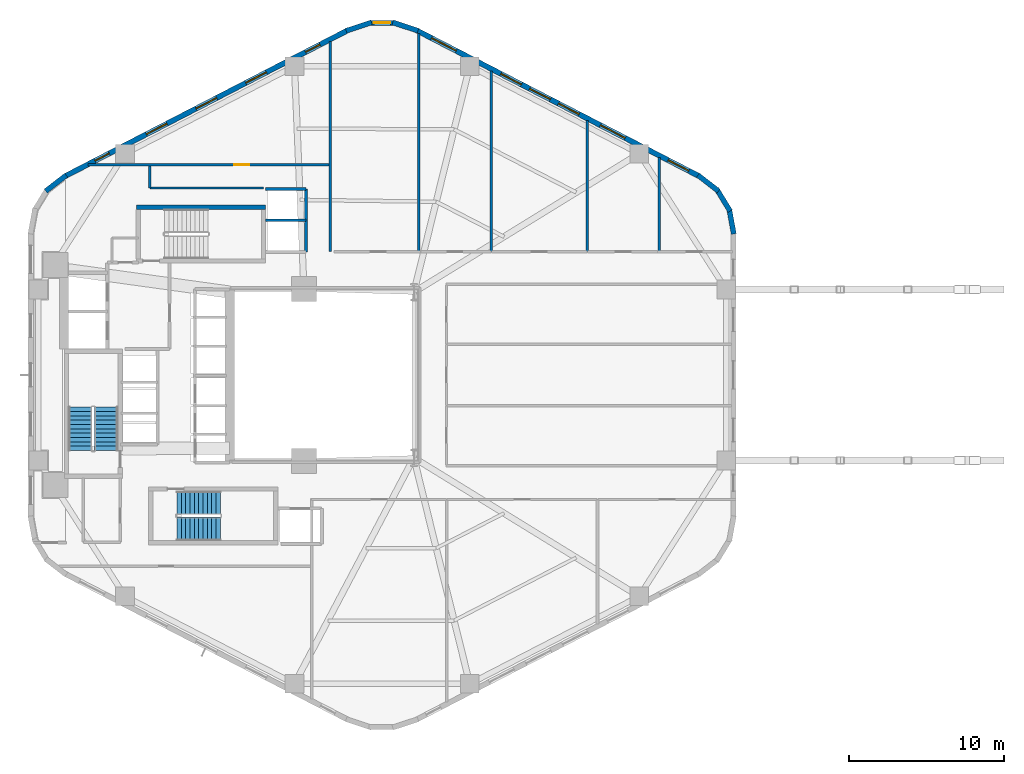
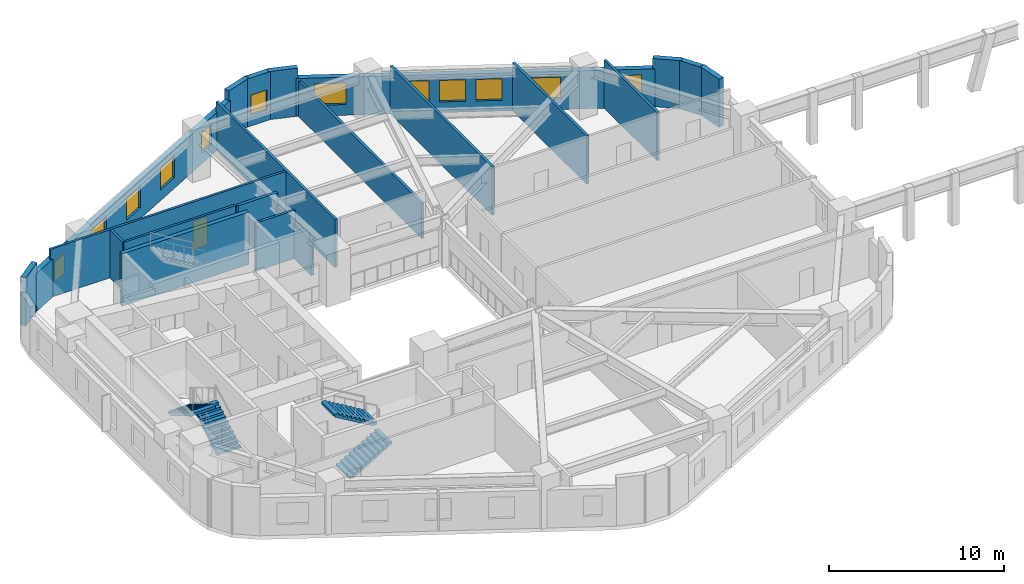
# One storey, part 5 of 7: 21 walls, 12 windows, 4 stair flights, 1 door, 13 openings, 2 elements without a shape of their own.
"""IFC4 building model written with IfcOpenShell, lengths in metres."""

from ifc_helpers import new_model, si_unit, direction, frame, frame_2d, origin, place, context, subcontext, project, spatial, polyline, rectangle, outline, extrude, material, layer, layer_set, type_object, element, fill, aggregate, save


model = new_model("IFC4")

# Units and contexts
model_context = context("Model", 3, precision=1e-05, world=origin(), true_north=direction((0.0, 1.0)))
body_context = subcontext(model_context, "Body", "Model", "MODEL_VIEW")
ifc_project = project(units=[si_unit("LENGTHUNIT", "METRE"), si_unit("AREAUNIT", "SQUARE_METRE"), si_unit("VOLUMEUNIT", "CUBIC_METRE"), si_unit("PLANEANGLEUNIT", "RADIAN"), si_unit("MASSUNIT", "GRAM", prefix="KILO"), si_unit("THERMODYNAMICTEMPERATUREUNIT", "KELVIN"), si_unit("POWERUNIT", "WATT")], contexts=[model_context])

# Site, building, storey
site_placement = place(None, origin())
site = spatial("IfcSite", under=ifc_project, at=site_placement, CompositionType="ELEMENT")
building_placement = place(site_placement, origin())
building = spatial("IfcBuilding", under=site, at=building_placement, Name="Skarre Station Tower", CompositionType="ELEMENT")
storey_placement = place(building_placement, frame((0.0, 0.0, 48.89990234375)))
storey = spatial("IfcBuildingStorey", under=building, at=storey_placement, Name="L12", CompositionType="ELEMENT", Elevation=48.89990234375)

# Wall, opening, door
ifc_material_1 = material(Name="Acoustic Steel-Stud Gypsum Partition", Category="steel")
ifc_layer_1 = layer(ifc_material_1, 0.14990234375, Name="Acoustic Steel-Stud Gypsum Partition")
ifc_layer_set_1 = layer_set([ifc_layer_1], Name="Acoustic Steel-Stud Gypsum Partition")
wall_type_1 = type_object("IfcWallType", Name="Fire-Rated Corridor Acoustic Partition 150", PredefinedType="PARTITIONING", material=ifc_layer_set_1)
wall_1_placement = place(storey_placement, frame((34.0, 37.580078125, 0.0), z_axis=(0.0, 0.0, 1.0), x_axis=(-1.0, 0.0, 0.0)))
wall_1 = element("IfcWall", 1, at=wall_1_placement, inside=storey, type_object=wall_type_1, Name="L12 Interior Partition WL-PT-L12-NWW1-CW", PredefinedType="PARTITIONING", context=body_context, shape_type="SweptSolid", body=[
    extrude(rectangle(XDim=15.60009765625, YDim=0.14990234375, at=frame_2d((7.800048828125, 0.0))), origin(), (0.0, 0.0, 1.0), 3.360107421875),
])
opening_1_placement = place(wall_1_placement, frame((5.195068359375, 0.0, 0.0)))
opening_1 = element("IfcOpeningElement", 2, at=opening_1_placement, cuts=wall_1, Name="Opening DR-FD60", PredefinedType="OPENING", context=body_context, shape_type="SweptSolid", body=[
    extrude(rectangle(XDim=0.9599609375, YDim=2.0, at=frame_2d((0.47998046875, 1.0))), frame((0.0, 0.0849609375, 0.0), z_axis=(0.0, -1.0, 0.0), x_axis=(1.0, 0.0, 0.0)), (0.0, 0.0, 1.0), 0.169921875),
])
ifc_material_2 = material(Name="Nordic White-Oak Veneer Solid-Core Fire Leaf", Category="wood")
door_type = type_object("IfcDoorType", Name="Corridor Suite Entry Fire Door FD60 960x2150", OperationType="SINGLE_SWING_LEFT", PredefinedType="DOOR", material=ifc_material_2)
door_placement = place(opening_1_placement, origin())
door = element("IfcDoor", 3, at=door_placement, inside=storey, type_object=door_type, Name="L12 NWW1 Entry Door", OperationType="SINGLE_SWING_LEFT", OverallHeight=2.0, OverallWidth=0.9599609375, PredefinedType="DOOR", context=body_context, shape_type="SweptSolid", body=[
    extrude(rectangle(XDim=0.9599609375, YDim=2.0, at=frame_2d((0.47998046875, 1.0))), frame((0.0, 0.02490234375, 0.0), z_axis=(0.0, -1.0, 0.0), x_axis=(1.0, 0.0, 0.0)), (0.0, 0.0, 1.0), 0.050048828125),
])
fill(opening_1, door)

# Walls
wall_2_placement = place(storey_placement, frame((29.7529296875, 36.080078125, 0.0), z_axis=(0.0, 0.0, 1.0), x_axis=(-1.0, 0.0, 0.0)))
element("IfcWall", 4, at=wall_2_placement, inside=storey, type_object=wall_type_1, Name="L12 Interior Partition WL-PT-L12-CSEAL-1", PredefinedType="PARTITIONING", context=body_context, shape_type="SweptSolid", body=[
    extrude(rectangle(XDim=7.35302734375, YDim=0.14990234375, at=frame_2d((3.676513671875, 0.0))), origin(), (0.0, 0.0, 1.0), 3.360107421875),
])
wall_3_placement = place(storey_placement, frame((22.39990234375, 36.080078125, 0.0), z_axis=(0.0, 0.0, 1.0), x_axis=(0.0, 1.0, 0.0)))
element("IfcWall", 5, at=wall_3_placement, inside=storey, type_object=wall_type_1, Name="L12 Interior Partition WL-PT-L12-CSEAL-2", PredefinedType="PARTITIONING", context=body_context, shape_type="SweptSolid", body=[
    extrude(rectangle(XDim=1.429931640625, YDim=0.14990234375, at=frame_2d((0.71484375, 0.0))), origin(), (0.0, 0.0, 1.0), 3.360107421875),
])

# Wall, openings, windows
ifc_material_3 = material(Name="Precast concrete C45/55", Category="concrete")
ifc_layer_2 = layer(ifc_material_3, 0.340087890625, Name="Precast concrete C45/55")
ifc_layer_set_2 = layer_set([ifc_layer_2], Name="Precast concrete C45/55")
wall_type_2 = type_object("IfcWallType", Name="Nordic Honed Precast Facet Wall 340", PredefinedType="STANDARD", material=ifc_layer_set_2)
wall_4_placement = place(storey_placement, frame((39.631103515625, 46.257080078125, 0.0), z_axis=(0.0, 0.0, 1.0), x_axis=(0.888634413993, -0.458616264721, 0.0)))
wall_4 = element("IfcWall", 6, at=wall_4_placement, inside=storey, type_object=wall_type_2, Name="L12 Facet 0 Nordic Precast Masonry Wall", PredefinedType="STANDARD", context=body_context, shape_type="SweptSolid", body=[
    extrude(rectangle(XDim=20.53125, YDim=0.340087890625, at=frame_2d((10.265625, 0.0))), origin(), (0.0, 0.0, 1.0), 2.654052734375),
])
opening_2_placement = place(wall_4_placement, frame((1.075927734375, 0.0, 0.75)))
opening_2 = element("IfcOpeningElement", 7, at=opening_2_placement, cuts=wall_4, Name="Opening WN-Z1A", PredefinedType="OPENING", context=body_context, shape_type="SweptSolid", body=[
    extrude(rectangle(XDim=1.800048828125, YDim=1.5, at=frame_2d((0.89990234375, 0.75))), frame((0.0, 0.179931640625, 0.0), z_axis=(0.0, -1.0, 0.0), x_axis=(1.0, 0.0, 0.0)), (0.0, 0.0, 1.0), 0.360107421875),
])
opening_3_placement = place(wall_4_placement, frame((6.1220703125, 0.0, 0.75)))
opening_3 = element("IfcOpeningElement", 8, at=opening_3_placement, cuts=wall_4, Name="Opening WN-Z1B", PredefinedType="OPENING", context=body_context, shape_type="SweptSolid", body=[
    extrude(rectangle(XDim=1.5, YDim=1.5, at=frame_2d((0.75, 0.75))), frame((0.0, 0.179931640625, 0.0), z_axis=(0.0, -1.0, 0.0), x_axis=(1.0, 0.0, 0.0)), (0.0, 0.0, 1.0), 0.360107421875),
])
opening_4_placement = place(wall_4_placement, frame((8.2109375, 0.0, 0.75)))
opening_4 = element("IfcOpeningElement", 9, at=opening_4_placement, cuts=wall_4, Name="Opening WN-Z1B", PredefinedType="OPENING", context=body_context, shape_type="SweptSolid", body=[
    extrude(rectangle(XDim=1.5, YDim=1.5, at=frame_2d((0.75, 0.75))), frame((0.0, 0.179931640625, 0.0), z_axis=(0.0, -1.0, 0.0), x_axis=(1.0, 0.0, 0.0)), (0.0, 0.0, 1.0), 0.360107421875),
])
opening_5_placement = place(wall_4_placement, frame((10.299072265625, 0.0, 0.75)))
opening_5 = element("IfcOpeningElement", 10, at=opening_5_placement, cuts=wall_4, Name="Opening WN-Z1B", PredefinedType="OPENING", context=body_context, shape_type="SweptSolid", body=[
    extrude(rectangle(XDim=1.5, YDim=1.5, at=frame_2d((0.75, 0.75))), frame((0.0, 0.179931640625, 0.0), z_axis=(0.0, -1.0, 0.0), x_axis=(1.0, 0.0, 0.0)), (0.0, 0.0, 1.0), 0.360107421875),
])
opening_6_placement = place(wall_4_placement, frame((13.35205078125, 0.0, 0.75)))
opening_6 = element("IfcOpeningElement", 11, at=opening_6_placement, cuts=wall_4, Name="Opening WN-Z1A", PredefinedType="OPENING", context=body_context, shape_type="SweptSolid", body=[
    extrude(rectangle(XDim=1.800048828125, YDim=1.5, at=frame_2d((0.89990234375, 0.75))), frame((0.0, 0.179931640625, 0.0), z_axis=(0.0, -1.0, 0.0), x_axis=(1.0, 0.0, 0.0)), (0.0, 0.0, 1.0), 0.360107421875),
])
opening_7_placement = place(wall_4_placement, frame((18.27197265625, 0.0, 0.75)))
opening_7 = element("IfcOpeningElement", 12, at=opening_7_placement, cuts=wall_4, Name="Opening WN-Z1B", PredefinedType="OPENING", context=body_context, shape_type="SweptSolid", body=[
    extrude(rectangle(XDim=1.5, YDim=1.5, at=frame_2d((0.75, 0.75))), frame((0.0, 0.179931640625, 0.0), z_axis=(0.0, -1.0, 0.0), x_axis=(1.0, 0.0, 0.0)), (0.0, 0.0, 1.0), 0.360107421875),
])
ifc_material_4 = material(Name="Low-Iron Triple Glazing with Bronze Anodized Frame", Category="glass")
window_type_1 = type_object("IfcWindowType", Name="Nordic Punched Triple-Glazed Window 1500x1500", PartitioningType="SINGLE_PANEL", PredefinedType="WINDOW", material=ifc_material_4)
window_1_placement = place(opening_3_placement, origin())
window_1 = element("IfcWindow", 13, at=window_1_placement, inside=storey, type_object=window_type_1, Name="L12 Facade Window WL-FAC-L12-F0-2", OverallHeight=1.5, OverallWidth=1.5, PartitioningType="SINGLE_PANEL", PredefinedType="WINDOW", context=body_context, shape_type="SweptSolid", body=[
    extrude(rectangle(XDim=1.5, YDim=1.5, at=frame_2d((0.75, 0.75))), frame((0.0, 0.030029296875, 0.0), z_axis=(0.0, -1.0, 0.0), x_axis=(1.0, 0.0, 0.0)), (0.0, 0.0, 1.0), 0.06005859375),
])
fill(opening_3, window_1)
window_2_placement = place(opening_4_placement, origin())
window_2 = element("IfcWindow", 14, at=window_2_placement, inside=storey, type_object=window_type_1, Name="L12 Facade Window WL-FAC-L12-F0-3", OverallHeight=1.5, OverallWidth=1.5, PartitioningType="SINGLE_PANEL", PredefinedType="WINDOW", context=body_context, shape_type="SweptSolid", body=[
    extrude(rectangle(XDim=1.5, YDim=1.5, at=frame_2d((0.75, 0.75))), frame((0.0, 0.030029296875, 0.0), z_axis=(0.0, -1.0, 0.0), x_axis=(1.0, 0.0, 0.0)), (0.0, 0.0, 1.0), 0.06005859375),
])
fill(opening_4, window_2)
window_3_placement = place(opening_5_placement, origin())
window_3 = element("IfcWindow", 15, at=window_3_placement, inside=storey, type_object=window_type_1, Name="L12 Facade Window WL-FAC-L12-F0-4", OverallHeight=1.5, OverallWidth=1.5, PartitioningType="SINGLE_PANEL", PredefinedType="WINDOW", context=body_context, shape_type="SweptSolid", body=[
    extrude(rectangle(XDim=1.5, YDim=1.5, at=frame_2d((0.75, 0.75))), frame((0.0, 0.030029296875, 0.0), z_axis=(0.0, -1.0, 0.0), x_axis=(1.0, 0.0, 0.0)), (0.0, 0.0, 1.0), 0.06005859375),
])
fill(opening_5, window_3)
window_4_placement = place(opening_7_placement, origin())
window_4 = element("IfcWindow", 16, at=window_4_placement, inside=storey, type_object=window_type_1, Name="L12 Facade Window WL-FAC-L12-F0-6", OverallHeight=1.5, OverallWidth=1.5, PartitioningType="SINGLE_PANEL", PredefinedType="WINDOW", context=body_context, shape_type="SweptSolid", body=[
    extrude(rectangle(XDim=1.5, YDim=1.5, at=frame_2d((0.75, 0.75))), frame((0.0, 0.030029296875, 0.0), z_axis=(0.0, -1.0, 0.0), x_axis=(1.0, 0.0, 0.0)), (0.0, 0.0, 1.0), 0.06005859375),
])
fill(opening_7, window_4)
window_type_2 = type_object("IfcWindowType", Name="Nordic Punched Triple-Glazed Window 1800x1500", PartitioningType="SINGLE_PANEL", PredefinedType="WINDOW", material=ifc_material_4)
window_5_placement = place(opening_2_placement, origin())
window_5 = element("IfcWindow", 17, at=window_5_placement, inside=storey, type_object=window_type_2, Name="L12 Facade Window WL-FAC-L12-F0-1", OverallHeight=1.5, OverallWidth=1.800048828125, PartitioningType="SINGLE_PANEL", PredefinedType="WINDOW", context=body_context, shape_type="SweptSolid", body=[
    extrude(rectangle(XDim=1.800048828125, YDim=1.5, at=frame_2d((0.89990234375, 0.75))), frame((0.0, 0.030029296875, 0.0), z_axis=(0.0, -1.0, 0.0), x_axis=(1.0, 0.0, 0.0)), (0.0, 0.0, 1.0), 0.06005859375),
])
fill(opening_2, window_5)
window_6_placement = place(opening_6_placement, origin())
window_6 = element("IfcWindow", 18, at=window_6_placement, inside=storey, type_object=window_type_2, Name="L12 Facade Window WL-FAC-L12-F0-5", OverallHeight=1.5, OverallWidth=1.800048828125, PartitioningType="SINGLE_PANEL", PredefinedType="WINDOW", context=body_context, shape_type="SweptSolid", body=[
    extrude(rectangle(XDim=1.800048828125, YDim=1.5, at=frame_2d((0.89990234375, 0.75))), frame((0.0, 0.030029296875, 0.0), z_axis=(0.0, -1.0, 0.0), x_axis=(1.0, 0.0, 0.0)), (0.0, 0.0, 1.0), 0.06005859375),
])
fill(opening_6, window_6)

wall_5_placement = place(storey_placement, frame((16.924072265625, 36.841064453125, 0.0), z_axis=(0.0, 0.0, 1.0), x_axis=(0.888634413993, 0.458616264721, 0.0)))
wall_5 = element("IfcWall", 19, at=wall_5_placement, inside=storey, type_object=wall_type_2, Name="L12 Facet 1 Nordic Precast Masonry Wall", PredefinedType="STANDARD", context=body_context, shape_type="SweptSolid", body=[
    extrude(rectangle(XDim=20.53125, YDim=0.340087890625, at=frame_2d((10.265625, 0.0))), origin(), (0.0, 0.0, 1.0), 2.654052734375),
])
opening_8_placement = place(wall_5_placement, frame((2.160888671875, 0.0, 0.75)))
opening_8 = element("IfcOpeningElement", 20, at=opening_8_placement, cuts=wall_5, Name="Opening WN-SLT", PredefinedType="OPENING", context=body_context, shape_type="SweptSolid", body=[
    extrude(rectangle(XDim=1.050048828125, YDim=1.39990234375, at=frame_2d((0.52490234375, 0.699951171875))), frame((0.0, 0.179931640625, 0.0), z_axis=(0.0, -1.0, 0.0), x_axis=(1.0, 0.0, 0.0)), (0.0, 0.0, 1.0), 0.360107421875),
])
opening_9_placement = place(wall_5_placement, frame((5.903076171875, 0.0, 0.75)))
opening_9 = element("IfcOpeningElement", 21, at=opening_9_placement, cuts=wall_5, Name="Opening WN-Z1B", PredefinedType="OPENING", context=body_context, shape_type="SweptSolid", body=[
    extrude(rectangle(XDim=1.5, YDim=1.5, at=frame_2d((0.75, 0.75))), frame((0.0, 0.179931640625, 0.0), z_axis=(0.0, -1.0, 0.0), x_axis=(1.0, 0.0, 0.0)), (0.0, 0.0, 1.0), 0.360107421875),
])
opening_10_placement = place(wall_5_placement, frame((9.51611328125, 0.0, 0.75)))
opening_10 = element("IfcOpeningElement", 22, at=opening_10_placement, cuts=wall_5, Name="Opening WN-Z1B", PredefinedType="OPENING", context=body_context, shape_type="SweptSolid", body=[
    extrude(rectangle(XDim=1.5, YDim=1.5, at=frame_2d((0.75, 0.75))), frame((0.0, 0.179931640625, 0.0), z_axis=(0.0, -1.0, 0.0), x_axis=(1.0, 0.0, 0.0)), (0.0, 0.0, 1.0), 0.360107421875),
])
opening_11_placement = place(wall_5_placement, frame((13.12890625, 0.0, 0.75)))
opening_11 = element("IfcOpeningElement", 23, at=opening_11_placement, cuts=wall_5, Name="Opening WN-Z1B", PredefinedType="OPENING", context=body_context, shape_type="SweptSolid", body=[
    extrude(rectangle(XDim=1.5, YDim=1.5, at=frame_2d((0.75, 0.75))), frame((0.0, 0.179931640625, 0.0), z_axis=(0.0, -1.0, 0.0), x_axis=(1.0, 0.0, 0.0)), (0.0, 0.0, 1.0), 0.360107421875),
])
opening_12_placement = place(wall_5_placement, frame((17.47607421875, 0.0, 0.75)))
opening_12 = element("IfcOpeningElement", 24, at=opening_12_placement, cuts=wall_5, Name="Opening WN-SLT", PredefinedType="OPENING", context=body_context, shape_type="SweptSolid", body=[
    extrude(rectangle(XDim=1.050048828125, YDim=1.39990234375, at=frame_2d((0.52490234375, 0.699951171875))), frame((0.0, 0.179931640625, 0.0), z_axis=(0.0, -1.0, 0.0), x_axis=(1.0, 0.0, 0.0)), (0.0, 0.0, 1.0), 0.360107421875),
])
window_type_3 = type_object("IfcWindowType", Name="Nordic Corner Slot Window 1050x1400", PartitioningType="SINGLE_PANEL", PredefinedType="WINDOW", material=ifc_material_4)
window_7_placement = place(opening_8_placement, origin())
window_7 = element("IfcWindow", 25, at=window_7_placement, inside=storey, type_object=window_type_3, Name="L12 Facade Window WL-FAC-L12-F1-1", OverallHeight=1.39990234375, OverallWidth=1.050048828125, PartitioningType="SINGLE_PANEL", PredefinedType="WINDOW", context=body_context, shape_type="SweptSolid", body=[
    extrude(rectangle(XDim=1.050048828125, YDim=1.39990234375, at=frame_2d((0.52490234375, 0.699951171875))), frame((0.0, 0.030029296875, 0.0), z_axis=(0.0, -1.0, 0.0), x_axis=(1.0, 0.0, 0.0)), (0.0, 0.0, 1.0), 0.06005859375),
])
fill(opening_8, window_7)
window_8_placement = place(opening_12_placement, origin())
window_8 = element("IfcWindow", 26, at=window_8_placement, inside=storey, type_object=window_type_3, Name="L12 Facade Window WL-FAC-L12-F1-5", OverallHeight=1.39990234375, OverallWidth=1.050048828125, PartitioningType="SINGLE_PANEL", PredefinedType="WINDOW", context=body_context, shape_type="SweptSolid", body=[
    extrude(rectangle(XDim=1.050048828125, YDim=1.39990234375, at=frame_2d((0.52490234375, 0.699951171875))), frame((0.0, 0.030029296875, 0.0), z_axis=(0.0, -1.0, 0.0), x_axis=(1.0, 0.0, 0.0)), (0.0, 0.0, 1.0), 0.06005859375),
])
fill(opening_12, window_8)
window_9_placement = place(opening_9_placement, origin())
window_9 = element("IfcWindow", 27, at=window_9_placement, inside=storey, type_object=window_type_1, Name="L12 Facade Window WL-FAC-L12-F1-2", OverallHeight=1.5, OverallWidth=1.5, PartitioningType="SINGLE_PANEL", PredefinedType="WINDOW", context=body_context, shape_type="SweptSolid", body=[
    extrude(rectangle(XDim=1.5, YDim=1.5, at=frame_2d((0.75, 0.75))), frame((0.0, 0.030029296875, 0.0), z_axis=(0.0, -1.0, 0.0), x_axis=(1.0, 0.0, 0.0)), (0.0, 0.0, 1.0), 0.06005859375),
])
fill(opening_9, window_9)
window_10_placement = place(opening_10_placement, origin())
window_10 = element("IfcWindow", 28, at=window_10_placement, inside=storey, type_object=window_type_1, Name="L12 Facade Window WL-FAC-L12-F1-3", OverallHeight=1.5, OverallWidth=1.5, PartitioningType="SINGLE_PANEL", PredefinedType="WINDOW", context=body_context, shape_type="SweptSolid", body=[
    extrude(rectangle(XDim=1.5, YDim=1.5, at=frame_2d((0.75, 0.75))), frame((0.0, 0.030029296875, 0.0), z_axis=(0.0, -1.0, 0.0), x_axis=(1.0, 0.0, 0.0)), (0.0, 0.0, 1.0), 0.06005859375),
])
fill(opening_10, window_10)
window_11_placement = place(opening_11_placement, origin())
window_11 = element("IfcWindow", 29, at=window_11_placement, inside=storey, type_object=window_type_1, Name="L12 Facade Window WL-FAC-L12-F1-4", OverallHeight=1.5, OverallWidth=1.5, PartitioningType="SINGLE_PANEL", PredefinedType="WINDOW", context=body_context, shape_type="SweptSolid", body=[
    extrude(rectangle(XDim=1.5, YDim=1.5, at=frame_2d((0.75, 0.75))), frame((0.0, 0.030029296875, 0.0), z_axis=(0.0, -1.0, 0.0), x_axis=(1.0, 0.0, 0.0)), (0.0, 0.0, 1.0), 0.06005859375),
])
fill(opening_11, window_11)

# Walls
ifc_layer_3 = layer(ifc_material_3, 0.330078125, Name="Precast concrete C45/55")
ifc_layer_set_3 = layer_set([ifc_layer_3], Name="Precast concrete C45/55")
wall_type_3 = type_object("IfcWallType", Name="Nordic Rounded Corner Precast Wall 330", PredefinedType="STANDARD", material=ifc_layer_set_3)
wall_6_placement = place(storey_placement, frame((57.802001953125, 36.90087890625, 0.0), z_axis=(0.0, 0.0, 1.0), x_axis=(0.790691856293, -0.61221433207, 0.0)))
element("IfcWall", 30, at=wall_6_placement, inside=storey, type_object=wall_type_3, Name="L12 Rounded Corner Precast Wall F0-1", PredefinedType="STANDARD", context=body_context, shape_type="SweptSolid", body=[
    extrude(rectangle(XDim=1.67578125, YDim=0.330078125, at=frame_2d((0.837890625, 0.0))), origin(), (0.0, 0.0, 1.0), 3.360107421875),
])
wall_7_placement = place(storey_placement, frame((59.001953125, 36.014892578125, 0.0), z_axis=(0.0, 0.0, 1.0), x_axis=(0.520584129191, -0.853810379671, 0.0)))
element("IfcWall", 31, at=wall_7_placement, inside=storey, type_object=wall_type_3, Name="L12 Rounded Corner Precast Wall F0-2", PredefinedType="STANDARD", context=body_context, shape_type="SweptSolid", body=[
    extrude(rectangle(XDim=1.677001953125, YDim=0.330078125, at=frame_2d((0.83837890625, 0.0))), origin(), (0.0, 0.0, 1.0), 3.360107421875),
])
wall_8_placement = place(storey_placement, frame((59.80810546875, 34.758056640625, 0.0), z_axis=(0.0, 0.0, 1.0), x_axis=(0.181714143354, -0.983351397063, 0.0)))
element("IfcWall", 32, at=wall_8_placement, inside=storey, type_object=wall_type_3, Name="L12 Rounded Corner Precast Wall F0-3", PredefinedType="STANDARD", context=body_context, shape_type="SweptSolid", body=[
    extrude(rectangle(XDim=1.677978515625, YDim=0.330078125, at=frame_2d((0.8388671875, 0.0))), origin(), (0.0, 0.0, 1.0), 3.360107421875),
])
wall_9_placement = place(storey_placement, frame((35.0810546875, 46.23095703125, 0.0), z_axis=(0.0, 0.0, 1.0), x_axis=(0.94976901097, 0.312951794691, 0.0)))
element("IfcWall", 33, at=wall_9_placement, inside=storey, type_object=wall_type_3, Name="L12 Rounded Corner Precast Wall F1-1", PredefinedType="STANDARD", context=body_context, shape_type="SweptSolid", body=[
    extrude(rectangle(XDim=1.722412109375, YDim=0.330078125, at=frame_2d((0.861328125, 0.0))), origin(), (0.0, 0.0, 1.0), 3.360107421875),
])

# Wall, opening, window
wall_10_placement = place(storey_placement, frame((36.5390625, 46.740966796875, 0.0), z_axis=(0.0, 0.0, 1.0), x_axis=(1.0, 0.0, 0.0)))
wall_10 = element("IfcWall", 34, at=wall_10_placement, inside=storey, type_object=wall_type_3, Name="L12 Rounded Corner Precast Wall F1-2", PredefinedType="STANDARD", context=body_context, shape_type="SweptSolid", body=[
    extrude(rectangle(XDim=1.721923828125, YDim=0.330078125, at=frame_2d((0.86083984375, 0.0))), origin(), (0.0, 0.0, 1.0), 3.360107421875),
])
opening_13_placement = place(wall_10_placement, frame((0.3359375, 0.0, 0.75)))
opening_13 = element("IfcOpeningElement", 35, at=opening_13_placement, cuts=wall_10, Name="Opening WN-SLT", PredefinedType="OPENING", context=body_context, shape_type="SweptSolid", body=[
    extrude(rectangle(XDim=1.050048828125, YDim=1.39990234375, at=frame_2d((0.52490234375, 0.699951171875))), frame((0.0, 0.175048828125, 0.0), z_axis=(0.0, -1.0, 0.0), x_axis=(1.0, 0.0, 0.0)), (0.0, 0.0, 1.0), 0.35009765625),
])
window_12_placement = place(opening_13_placement, origin())
window_12 = element("IfcWindow", 36, at=window_12_placement, inside=storey, type_object=window_type_3, Name="L12 Apex Corner Slot Window F1-2", OverallHeight=1.39990234375, OverallWidth=1.050048828125, PartitioningType="SINGLE_PANEL", PredefinedType="WINDOW", context=body_context, shape_type="SweptSolid", body=[
    extrude(rectangle(XDim=1.050048828125, YDim=1.39990234375, at=frame_2d((0.52490234375, 0.699951171875))), frame((0.0, 0.030029296875, 0.0), z_axis=(0.0, -1.0, 0.0), x_axis=(1.0, 0.0, 0.0)), (0.0, 0.0, 1.0), 0.06005859375),
])
fill(opening_13, window_12)

# Walls
wall_11_placement = place(storey_placement, frame((38.0830078125, 46.77001953125, 0.0), z_axis=(0.0, 0.0, 1.0), x_axis=(0.94976901097, -0.312951794691, 0.0)))
element("IfcWall", 37, at=wall_11_placement, inside=storey, type_object=wall_type_3, Name="L12 Rounded Corner Precast Wall F1-3", PredefinedType="STANDARD", context=body_context, shape_type="SweptSolid", body=[
    extrude(rectangle(XDim=1.722412109375, YDim=0.330078125, at=frame_2d((0.861328125, 0.0))), origin(), (0.0, 0.0, 1.0), 3.360107421875),
])
wall_12_placement = place(storey_placement, frame((15.673095703125, 35.875, 0.0), z_axis=(0.0, 0.0, 1.0), x_axis=(0.790691856293, 0.61221433207, 0.0)))
element("IfcWall", 38, at=wall_12_placement, inside=storey, type_object=wall_type_3, Name="L12 Rounded Corner Precast Wall F2-3", PredefinedType="STANDARD", context=body_context, shape_type="SweptSolid", body=[
    extrude(rectangle(XDim=1.67578125, YDim=0.330078125, at=frame_2d((0.837890625, 0.0))), origin(), (0.0, 0.0, 1.0), 3.360107421875),
])
ifc_material_5 = material(Name="Concrete C50/60", Category="concrete")
ifc_layer_4 = layer(ifc_material_5, 0.280029296875, Name="Concrete C50/60")
ifc_layer_set_4 = layer_set([ifc_layer_4], Name="Concrete C50/60")
wall_type_4 = type_object("IfcWallType", Name="RC Core Shear Wall 280", PredefinedType="SHEAR", material=ifc_layer_set_4)
wall_13_placement = place(storey_placement, frame((29.8798828125, 34.840087890625, 0.0), z_axis=(0.0, 0.0, 1.0), x_axis=(-1.0, 0.0, 0.0)))
element("IfcWall", 39, at=wall_13_placement, inside=storey, type_object=wall_type_4, Name="L12 Stair ST-3 North Shear Wall", PredefinedType="SHEAR", context=body_context, shape_type="SweptSolid", body=[
    extrude(rectangle(XDim=8.35986328125, YDim=0.280029296875, at=frame_2d((4.179931640625, 0.0))), origin(), (0.0, 0.0, 1.0), 3.650146484375),
])
ifc_material_6 = material(Name="Gypsum Concrete Shaft Assembly C30/37", Category="concrete")
ifc_layer_5 = layer(ifc_material_6, 0.199951171875, Name="Gypsum Concrete Shaft Assembly C30/37")
ifc_layer_set_5 = layer_set([ifc_layer_5], Name="Gypsum Concrete Shaft Assembly C30/37")
wall_type_5 = type_object("IfcWallType", Name="Shaft & Core Fire Partition 200", PredefinedType="PARTITIONING", material=ifc_layer_set_5)
wall_14_placement = place(storey_placement, frame((32.47998046875, 31.949951171875, 0.0), z_axis=(0.0, 0.0, 1.0), x_axis=(0.0, 1.0, 0.0)))
element("IfcWall", 40, at=wall_14_placement, inside=storey, type_object=wall_type_5, Name="L12 Interior Partition WL-PT-L12-EX-E", PredefinedType="PARTITIONING", context=body_context, shape_type="SweptSolid", body=[
    extrude(rectangle(XDim=4.050048828125, YDim=0.199951171875, at=frame_2d((2.02490234375, 0.0))), origin(), (0.0, 0.0, 1.0), 2.483154296875),
])
wall_15_placement = place(storey_placement, frame((29.8798828125, 36.0, 0.0), z_axis=(0.0, 0.0, 1.0), x_axis=(1.0, 0.0, 0.0)))
element("IfcWall", 41, at=wall_15_placement, inside=storey, type_object=wall_type_5, Name="L12 Interior Partition WL-PT-L12-EX-N", PredefinedType="PARTITIONING", context=body_context, shape_type="SweptSolid", body=[
    extrude(rectangle(XDim=2.60009765625, YDim=0.199951171875, at=frame_2d((1.300048828125, 0.0))), origin(), (0.0, 0.0, 1.0), 3.360107421875),
])
wall_16_placement = place(storey_placement, frame((29.875, 33.97998046875, 0.0), z_axis=(0.0, 0.0, 1.0), x_axis=(1.0, 0.0, 0.0)))
element("IfcWall", 42, at=wall_16_placement, inside=storey, type_object=wall_type_5, Name="L12 Interior Partition WL-PT-L12-EX-DIV", PredefinedType="PARTITIONING", context=body_context, shape_type="SweptSolid", body=[
    extrude(rectangle(XDim=2.60498046875, YDim=0.159912109375, at=frame_2d((1.302490234375, 0.0))), origin(), (0.0, 0.0, 1.0), 3.360107421875),
])
ifc_layer_6 = layer(ifc_material_1, 0.1650390625, Name="Acoustic Steel-Stud Gypsum Partition")
ifc_layer_set_6 = layer_set([ifc_layer_6], Name="Acoustic Steel-Stud Gypsum Partition")
wall_type_6 = type_object("IfcWallType", Name="Suite Demising Acoustic Partition 165", PredefinedType="PARTITIONING", material=ifc_layer_set_6)
wall_17_placement = place(storey_placement, frame((34.0400390625, 31.9599609375, 0.0), z_axis=(0.0, 0.0, 1.0), x_axis=(0.0, 1.0, 0.0)))
element("IfcWall", 43, at=wall_17_placement, inside=storey, type_object=wall_type_6, Name="L12 Interior Partition WL-PT-L12-NW-WBND", PredefinedType="PARTITIONING", context=body_context, shape_type="SweptSolid", body=[
    extrude(rectangle(XDim=13.5791015625, YDim=0.1650390625, at=frame_2d((6.78955078125, 0.0))), origin(), (0.0, 0.0, 1.0), 3.360107421875),
])
wall_18_placement = place(storey_placement, frame((39.77392578125, 31.969970703125, 0.0), z_axis=(0.0, 0.0, 1.0), x_axis=(0.0, 1.0, 0.0)))
element("IfcWall", 44, at=wall_18_placement, inside=storey, type_object=wall_type_6, Name="L12 Interior Partition WL-PT-L12-NW-P1", PredefinedType="PARTITIONING", context=body_context, shape_type="SweptSolid", body=[
    extrude(rectangle(XDim=14.078125, YDim=0.1650390625, at=frame_2d((7.0390625, 0.0))), origin(), (0.0, 0.0, 1.0), 2.483154296875),
])
wall_19_placement = place(storey_placement, frame((44.43310546875, 31.969970703125, 0.0), z_axis=(0.0, 0.0, 1.0), x_axis=(0.0, 1.0, 0.0)))
element("IfcWall", 45, at=wall_19_placement, inside=storey, type_object=wall_type_6, Name="L12 Interior Partition WL-PT-L12-NW-P2", PredefinedType="PARTITIONING", context=body_context, shape_type="SweptSolid", body=[
    extrude(rectangle(XDim=11.674072265625, YDim=0.1650390625, at=frame_2d((5.8369140625, 0.0))), origin(), (0.0, 0.0, 1.0), 3.360107421875),
])
wall_20_placement = place(storey_placement, frame((50.64501953125, 31.969970703125, 0.0), z_axis=(0.0, 0.0, 1.0), x_axis=(0.0, 1.0, 0.0)))
element("IfcWall", 46, at=wall_20_placement, inside=storey, type_object=wall_type_6, Name="L12 Interior Partition WL-PT-L12-NW-P3", PredefinedType="PARTITIONING", context=body_context, shape_type="SweptSolid", body=[
    extrude(rectangle(XDim=8.468017578125, YDim=0.1650390625, at=frame_2d((4.23388671875, 0.0))), origin(), (0.0, 0.0, 1.0), 3.360107421875),
])
wall_21_placement = place(storey_placement, frame((55.303955078125, 31.969970703125, 0.0), z_axis=(0.0, 0.0, 1.0), x_axis=(0.0, 1.0, 0.0)))
element("IfcWall", 47, at=wall_21_placement, inside=storey, type_object=wall_type_6, Name="L12 Interior Partition WL-PT-L12-NW-P4", PredefinedType="PARTITIONING", context=body_context, shape_type="SweptSolid", body=[
    extrude(rectangle(XDim=6.06298828125, YDim=0.1650390625, at=frame_2d((3.031494140625, 0.0))), origin(), (0.0, 0.0, 1.0), 3.360107421875),
])

# Stair, stair flights
ifc_material_7 = material(Name="Concrete C40/50", Category="concrete")
stair_type_1 = type_object("IfcStairType", Name="Reinforced Concrete Exit Stair ST-1", PredefinedType="HALF_TURN_STAIR", material=ifc_material_7)
stair_1_placement = place(storey_placement, origin())
stair_1 = element("IfcStair", 48, at=stair_1_placement, inside=storey, type_object=stair_type_1, Name="L12 Core Exit Stair ST-1", PredefinedType="HALF_TURN_STAIR")
stair_flight_type_1 = type_object("IfcStairFlightType", Name="Reinforced Concrete Stair Flight ST-1", PredefinedType="STRAIGHT", material=ifc_material_7)
stair_flight_1_placement = place(storey_placement, frame((19.590087890625, 19.1201171875, 0.0), z_axis=(0.0, 0.0, 1.0), x_axis=(0.0, 1.0, 0.0)))
stair_flight_1 = element("IfcStairFlight", 49, at=stair_flight_1_placement, type_object=stair_flight_type_1, Name="ST-1 flight 1", NumberOfRisers=11, NumberOfTreads=10, PredefinedType="STRAIGHT", RiserHeight=0.165909091, TreadLength=0.28, context=body_context, shape_type="SweptSolid", body=[
    extrude(outline(polyline([(0.0, 0.0), (0.0, 0.166015625), (0.280029296875, 0.166015625), (0.280029296875, 0.331787109375), (0.56005859375, 0.331787109375), (0.56005859375, 0.497802734375), (0.840087890625, 0.497802734375), (0.840087890625, 0.66357421875), (1.1201171875, 0.66357421875), (1.1201171875, 0.82958984375), (1.39990234375, 0.82958984375), (1.39990234375, 0.995361328125), (1.679931640625, 0.995361328125), (1.679931640625, 1.161376953125), (1.9599609375, 1.161376953125), (1.9599609375, 1.327392578125), (2.239990234375, 1.327392578125), (2.239990234375, 1.4931640625), (2.52001953125, 1.4931640625), (2.52001953125, 1.6591796875), (2.800048828125, 1.6591796875), (2.800048828125, 1.824951171875), (2.800048828125, 1.48486328125), (0.2939453125, 0.0), (0.0, 0.0)])), frame((0.0, 0.760009765625, 0.0), z_axis=(0.0, -1.0, 0.0), x_axis=(1.0, 0.0, 0.0)), (0.0, 0.0, 1.0), 1.52001953125),
])
stair_flight_2_placement = place(storey_placement, frame((17.909912109375, 21.919921875, 1.8251953125), z_axis=(0.0, 0.0, 1.0), x_axis=(0.0, -1.0, 0.0)))
stair_flight_2 = element("IfcStairFlight", 50, at=stair_flight_2_placement, type_object=stair_flight_type_1, Name="ST-1 flight 2", NumberOfRisers=11, NumberOfTreads=10, PredefinedType="STRAIGHT", RiserHeight=0.165909091, TreadLength=0.28, context=body_context, shape_type="SweptSolid", body=[
    extrude(outline(polyline([(0.0, 0.0), (0.0, 0.166015625), (0.280029296875, 0.166015625), (0.280029296875, 0.331787109375), (0.56005859375, 0.331787109375), (0.56005859375, 0.497802734375), (0.840087890625, 0.497802734375), (0.840087890625, 0.66357421875), (1.1201171875, 0.66357421875), (1.1201171875, 0.82958984375), (1.39990234375, 0.82958984375), (1.39990234375, 0.995361328125), (1.679931640625, 0.995361328125), (1.679931640625, 1.161376953125), (1.9599609375, 1.161376953125), (1.9599609375, 1.327392578125), (2.239990234375, 1.327392578125), (2.239990234375, 1.4931640625), (2.52001953125, 1.4931640625), (2.52001953125, 1.6591796875), (2.800048828125, 1.6591796875), (2.800048828125, 1.824951171875), (2.800048828125, 1.48486328125), (0.2939453125, 0.0), (0.0, 0.0)])), frame((0.0, 0.760009765625, 0.0), z_axis=(0.0, -1.0, 0.0), x_axis=(1.0, 0.0, 0.0)), (0.0, 0.0, 1.0), 1.52001953125),
])
aggregate(stair_1, [stair_flight_1, stair_flight_2])

stair_type_2 = type_object("IfcStairType", Name="Reinforced Concrete Exit Stair ST-2", PredefinedType="HALF_TURN_STAIR", material=ifc_material_7)
stair_2_placement = place(storey_placement, origin())
stair_2 = element("IfcStair", 51, at=stair_2_placement, inside=storey, type_object=stair_type_2, Name="L12 Core Exit Stair ST-2", PredefinedType="HALF_TURN_STAIR")
stair_flight_type_2 = type_object("IfcStairFlightType", Name="Reinforced Concrete Stair Flight ST-2", PredefinedType="STRAIGHT", material=ifc_material_7)
stair_flight_3_placement = place(storey_placement, frame((24.14990234375, 14.06005859375, 0.0), z_axis=(0.0, 0.0, 1.0), x_axis=(1.0, 0.0, 0.0)))
stair_flight_3 = element("IfcStairFlight", 52, at=stair_flight_3_placement, type_object=stair_flight_type_2, Name="ST-2 flight 1", NumberOfRisers=11, NumberOfTreads=10, PredefinedType="STRAIGHT", RiserHeight=0.165909091, TreadLength=0.28, context=body_context, shape_type="SweptSolid", body=[
    extrude(outline(polyline([(0.0, 0.0), (0.0, 0.166015625), (0.280029296875, 0.166015625), (0.280029296875, 0.331787109375), (0.56005859375, 0.331787109375), (0.56005859375, 0.497802734375), (0.840087890625, 0.497802734375), (0.840087890625, 0.66357421875), (1.1201171875, 0.66357421875), (1.1201171875, 0.82958984375), (1.39990234375, 0.82958984375), (1.39990234375, 0.995361328125), (1.679931640625, 0.995361328125), (1.679931640625, 1.161376953125), (1.9599609375, 1.161376953125), (1.9599609375, 1.327392578125), (2.239990234375, 1.327392578125), (2.239990234375, 1.4931640625), (2.52001953125, 1.4931640625), (2.52001953125, 1.6591796875), (2.800048828125, 1.6591796875), (2.800048828125, 1.824951171875), (2.800048828125, 1.48486328125), (0.2939453125, 0.0), (0.0, 0.0)])), frame((0.0, 0.760009765625, 0.0), z_axis=(0.0, -1.0, 0.0), x_axis=(1.0, 0.0, 0.0)), (0.0, 0.0, 1.0), 1.52001953125),
])
stair_flight_4_placement = place(storey_placement, frame((26.949951171875, 15.739990234375, 1.8251953125), z_axis=(0.0, 0.0, 1.0), x_axis=(-1.0, 0.0, 0.0)))
stair_flight_4 = element("IfcStairFlight", 53, at=stair_flight_4_placement, type_object=stair_flight_type_2, Name="ST-2 flight 2", NumberOfRisers=11, NumberOfTreads=10, PredefinedType="STRAIGHT", RiserHeight=0.165909091, TreadLength=0.28, context=body_context, shape_type="SweptSolid", body=[
    extrude(outline(polyline([(0.0, 0.0), (0.0, 0.166015625), (0.280029296875, 0.166015625), (0.280029296875, 0.331787109375), (0.56005859375, 0.331787109375), (0.56005859375, 0.497802734375), (0.840087890625, 0.497802734375), (0.840087890625, 0.66357421875), (1.1201171875, 0.66357421875), (1.1201171875, 0.82958984375), (1.39990234375, 0.82958984375), (1.39990234375, 0.995361328125), (1.679931640625, 0.995361328125), (1.679931640625, 1.161376953125), (1.9599609375, 1.161376953125), (1.9599609375, 1.327392578125), (2.239990234375, 1.327392578125), (2.239990234375, 1.4931640625), (2.52001953125, 1.4931640625), (2.52001953125, 1.6591796875), (2.800048828125, 1.6591796875), (2.800048828125, 1.824951171875), (2.800048828125, 1.48486328125), (0.2939453125, 0.0), (0.0, 0.0)])), frame((0.0, 0.760009765625, 0.0), z_axis=(0.0, -1.0, 0.0), x_axis=(1.0, 0.0, 0.0)), (0.0, 0.0, 1.0), 1.52001953125),
])
aggregate(stair_2, [stair_flight_3, stair_flight_4])

save(model, "model.ifc")
